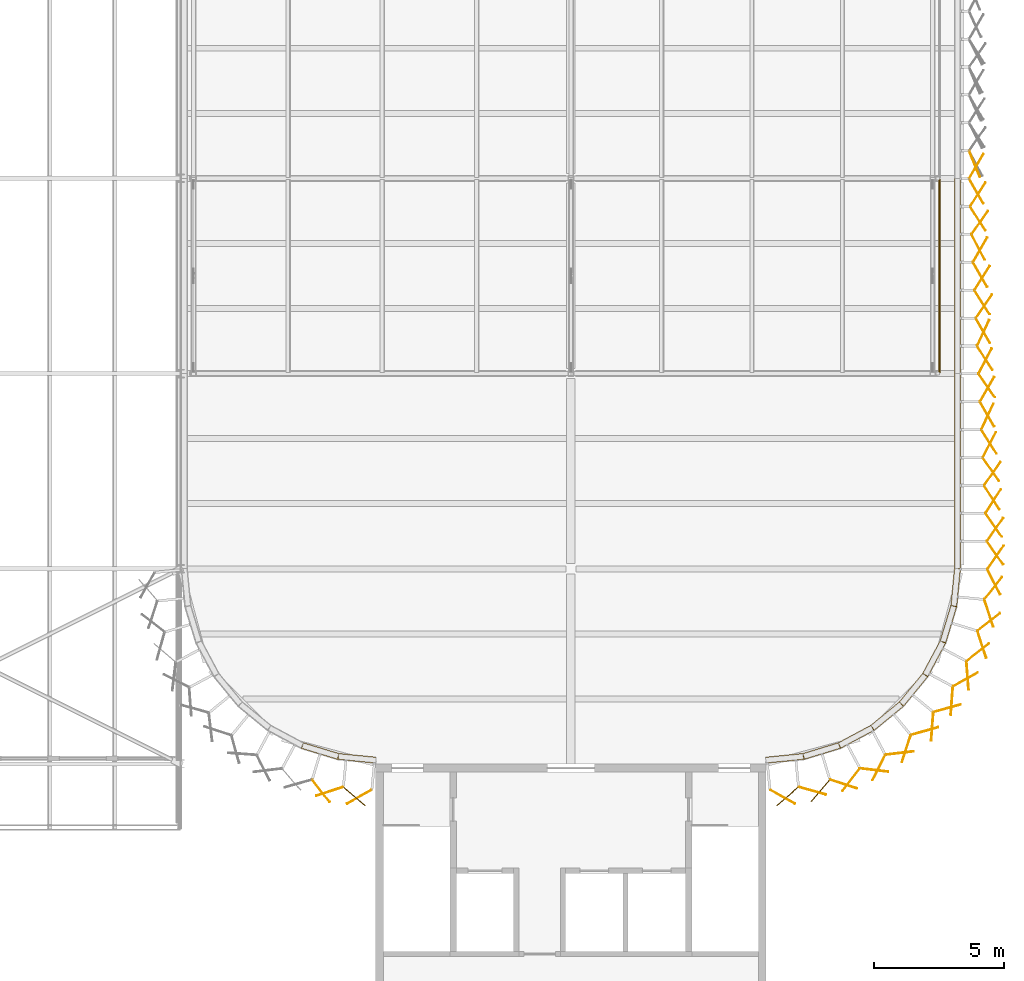
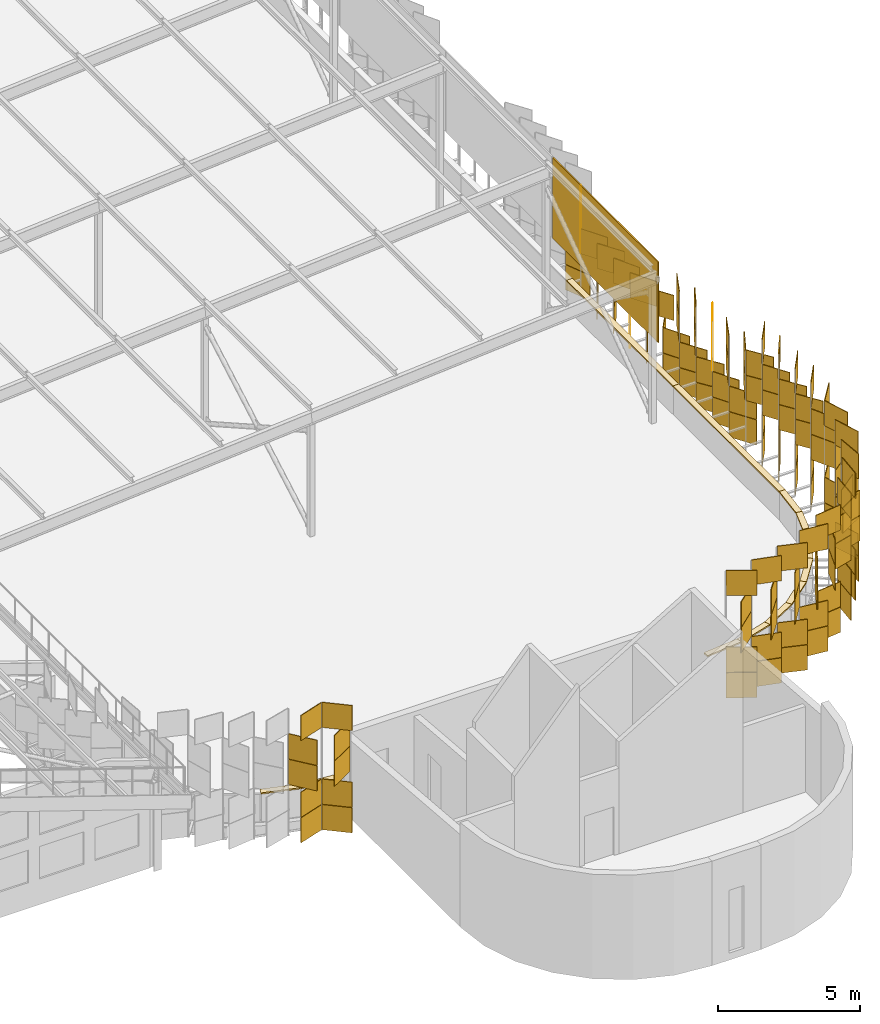
# One storey, part 468 of 483: 137 coverings.
"""IFC4 building model written with IfcOpenShell, lengths in metres."""

from ifc_helpers import new_model, si_unit, direction, frame, origin, origin_2d, place, context, subcontext, project, spatial, polyline, rectangle, outline, extrude, material, layer, layer_set, type_object, element, save


model = new_model("IFC4")

# Units and contexts
model_context = context("Model", 3, precision=1e-05, world=origin(), true_north=direction((0.0, 1.0)))
body_context = subcontext(model_context, "Body", "Model", "MODEL_VIEW")
ifc_project = project(units=[si_unit("LENGTHUNIT", "METRE"), si_unit("AREAUNIT", "SQUARE_METRE"), si_unit("VOLUMEUNIT", "CUBIC_METRE"), si_unit("PLANEANGLEUNIT", "RADIAN"), si_unit("MASSUNIT", "GRAM", prefix="KILO")], contexts=[model_context])

# Site, building, storey
site_placement = place(None, origin())
site = spatial("IfcSite", under=ifc_project, at=site_placement, CompositionType="ELEMENT")
building_placement = place(site_placement, origin())
building = spatial("IfcBuilding", under=site, at=building_placement, Name="Parallax Yard Mobility Hub", CompositionType="ELEMENT")
storey_placement = place(building_placement, frame((0.0, 0.0, 13.199951171875)))
storey = spatial("IfcBuildingStorey", under=building, at=storey_placement, Name="L04", CompositionType="ELEMENT", Elevation=13.199951171875)

# Coverings
ifc_material_1 = material(Name="Concrete fc' 35 MPa", Category="concrete")
ifc_layer_1 = layer(ifc_material_1, 0.06005859375)
ifc_layer_set_1 = layer_set([ifc_layer_1], Name="Parapet coping, Concrete fc' 35 MPa precast, 240")
covering_type_1 = type_object("IfcCoveringType", Name="Parapet coping, Concrete fc' 35 MPa precast, 240", PredefinedType="USERDEFINED", material=ifc_layer_set_1)
covering_1_placement = place(storey_placement, frame((0.0, 0.0, 1.199951171875)))
element("IfcCovering", 1, at=covering_1_placement, inside=storey, type_object=covering_type_1, Name="Parapet coping run 3 part 12", ObjectType="COPING", PredefinedType="USERDEFINED", context=body_context, shape_type="SweptSolid", body=[
    extrude(outline(polyline([(199.729248046875, 23.3193359375), (199.636962890625, 23.0966796875), (201.0380859375, 22.6708984375), (201.085205078125, 22.907470703125), (199.729248046875, 23.3193359375)])), origin(), (0.0, 0.0, 1.0), 0.06005859375),
])
covering_2_placement = place(storey_placement, frame((0.0, 0.0, 1.199951171875)))
element("IfcCovering", 2, at=covering_2_placement, inside=storey, type_object=covering_type_1, Name="Parapet coping run 3 part 13", ObjectType="COPING", PredefinedType="USERDEFINED", context=body_context, shape_type="SweptSolid", body=[
    extrude(outline(polyline([(201.085205078125, 22.907470703125), (201.0380859375, 22.6708984375), (202.497802734375, 22.5263671875), (202.521484375, 22.76513671875), (201.085205078125, 22.907470703125)])), origin(), (0.0, 0.0, 1.0), 0.06005859375),
])
covering_3_placement = place(storey_placement, frame((0.0, 0.0, 1.199951171875)))
element("IfcCovering", 3, at=covering_3_placement, inside=storey, type_object=covering_type_1, Name="Parapet coping run 4 part 1", ObjectType="COPING", PredefinedType="USERDEFINED", context=body_context, shape_type="SweptSolid", body=[
    extrude(outline(polyline([(217.47900390625, 22.76513671875), (217.502685546875, 22.5263671875), (218.962646484375, 22.671142578125), (218.915283203125, 22.90771484375), (217.47900390625, 22.76513671875)])), origin(), (0.0, 0.0, 1.0), 0.06005859375),
])
covering_4_placement = place(storey_placement, frame((0.0, 0.0, 1.199951171875)))
element("IfcCovering", 4, at=covering_4_placement, inside=storey, type_object=covering_type_1, Name="Parapet coping run 4 part 2", ObjectType="COPING", PredefinedType="USERDEFINED", context=body_context, shape_type="SweptSolid", body=[
    extrude(outline(polyline([(218.915283203125, 22.90771484375), (218.962646484375, 22.671142578125), (220.36376953125, 23.096923828125), (220.271240234375, 23.319580078125), (218.915283203125, 22.90771484375)])), origin(), (0.0, 0.0, 1.0), 0.06005859375),
])
covering_5_placement = place(storey_placement, frame((0.0, 0.0, 1.199951171875)))
element("IfcCovering", 5, at=covering_5_placement, inside=storey, type_object=covering_type_1, Name="Parapet coping run 4 part 3", ObjectType="COPING", PredefinedType="USERDEFINED", context=body_context, shape_type="SweptSolid", body=[
    extrude(outline(polyline([(220.271240234375, 23.319580078125), (220.36376953125, 23.096923828125), (221.65478515625, 23.787841796875), (221.520751953125, 23.98828125), (220.271240234375, 23.319580078125)])), origin(), (0.0, 0.0, 1.0), 0.06005859375),
])
covering_6_placement = place(storey_placement, frame((0.0, 0.0, 1.199951171875)))
element("IfcCovering", 6, at=covering_6_placement, inside=storey, type_object=covering_type_1, Name="Parapet coping run 4 part 4", ObjectType="COPING", PredefinedType="USERDEFINED", context=body_context, shape_type="SweptSolid", body=[
    extrude(outline(polyline([(221.520751953125, 23.98828125), (221.65478515625, 23.787841796875), (222.78662109375, 24.71728515625), (222.615966796875, 24.8876953125), (221.520751953125, 23.98828125)])), origin(), (0.0, 0.0, 1.0), 0.06005859375),
])
covering_7_placement = place(storey_placement, frame((0.0, 0.0, 1.199951171875)))
element("IfcCovering", 7, at=covering_7_placement, inside=storey, type_object=covering_type_1, Name="Parapet coping run 4 part 5", ObjectType="COPING", PredefinedType="USERDEFINED", context=body_context, shape_type="SweptSolid", body=[
    extrude(outline(polyline([(222.615966796875, 24.8876953125), (222.78662109375, 24.71728515625), (223.71533203125, 25.849609375), (223.514892578125, 25.983642578125), (222.615966796875, 24.8876953125)])), origin(), (0.0, 0.0, 1.0), 0.06005859375),
])
covering_8_placement = place(storey_placement, frame((0.0, 0.0, 1.199951171875)))
element("IfcCovering", 8, at=covering_8_placement, inside=storey, type_object=covering_type_1, Name="Parapet coping run 4 part 6", ObjectType="COPING", PredefinedType="USERDEFINED", context=body_context, shape_type="SweptSolid", body=[
    extrude(outline(polyline([(223.514892578125, 25.983642578125), (223.71533203125, 25.849609375), (224.405517578125, 27.141357421875), (224.1826171875, 27.233642578125), (223.514892578125, 25.983642578125)])), origin(), (0.0, 0.0, 1.0), 0.06005859375),
])
covering_9_placement = place(storey_placement, frame((0.0, 0.0, 1.199951171875)))
element("IfcCovering", 9, at=covering_9_placement, inside=storey, type_object=covering_type_1, Name="Parapet coping run 4 part 7", ObjectType="COPING", PredefinedType="USERDEFINED", context=body_context, shape_type="SweptSolid", body=[
    extrude(outline(polyline([(224.1826171875, 27.233642578125), (224.405517578125, 27.141357421875), (224.830322265625, 28.542724609375), (224.59375, 28.58984375), (224.1826171875, 27.233642578125)])), origin(), (0.0, 0.0, 1.0), 0.06005859375),
])
covering_10_placement = place(storey_placement, frame((0.0, 0.0, 1.199951171875)))
element("IfcCovering", 10, at=covering_10_placement, inside=storey, type_object=covering_type_1, Name="Parapet coping run 4 part 8", ObjectType="COPING", PredefinedType="USERDEFINED", context=body_context, shape_type="SweptSolid", body=[
    extrude(outline(polyline([(224.59375, 28.58984375), (224.830322265625, 28.542724609375), (224.97412109375, 30.001708984375), (224.73388671875, 30.01318359375), (224.59375, 28.58984375)])), origin(), (0.0, 0.0, 1.0), 0.06005859375),
])
covering_11_placement = place(storey_placement, frame((0.0, 0.0, 1.199951171875)))
element("IfcCovering", 11, at=covering_11_placement, inside=storey, type_object=covering_type_1, Name="Parapet coping run 4 part 9", ObjectType="COPING", PredefinedType="USERDEFINED", context=body_context, shape_type="SweptSolid", body=[
    extrude(outline(polyline([(224.73388671875, 30.01318359375), (224.97412109375, 30.001708984375), (224.97412109375, 37.500244140625), (224.73388671875, 37.500244140625), (224.73388671875, 30.01318359375)])), origin(), (0.0, 0.0, 1.0), 0.06005859375),
])
covering_12_placement = place(storey_placement, frame((0.0, 0.0, 1.199951171875)))
element("IfcCovering", 12, at=covering_12_placement, inside=storey, type_object=covering_type_1, Name="Parapet coping run 4 part 10", ObjectType="COPING", PredefinedType="USERDEFINED", context=body_context, shape_type="SweptSolid", body=[
    extrude(outline(polyline([(224.73388671875, 37.500244140625), (224.97412109375, 37.500244140625), (224.97412109375, 45.000244140625), (224.73388671875, 45.000244140625), (224.73388671875, 37.500244140625)])), origin(), (0.0, 0.0, 1.0), 0.06005859375),
])
ifc_material_2 = material(Name="Aluminium panel, silver anodised", Category="aluminium")
ifc_layer_2 = layer(ifc_material_2, 0.030029296875)
ifc_layer_set_2 = layer_set([ifc_layer_2], Name="Skin panel 22.5 degree turn, silver anodised")
covering_type_2 = type_object("IfcCoveringType", Name="Skin panel 22.5 degree turn, silver anodised", PredefinedType="CLADDING", material=ifc_layer_set_2)
for number, where, z_axis, x_axis, name in (
    (13, (225.512939453125, 45.547607421875, 0.02001953125), (0.0, 0.0, 1.0), (0.382683432365, -0.923879532511, 0.0), "Skin panel 22.5 bay 35.1 row 1 level L04"),
    (14, (225.512939453125, 45.547607421875, 1.1201171875), (0.0, 0.0, 1.0), (0.382683432365, -0.923879532511, 0.0), "Skin panel 22.5 bay 35.1 row 2 level L04"),
):
    element("IfcCovering", number, at=place(storey_placement, frame(where, z_axis=z_axis, x_axis=x_axis)), inside=storey, type_object=covering_type_2, Name=name, ObjectType="SCREEN", PredefinedType="CLADDING", context=body_context, shape_type="SweptSolid", body=[
        extrude(rectangle(XDim=1.080078125, YDim=0.030029296875, at=origin_2d()), origin(), (0.0, 0.0, 1.0), 1.080078125),
    ])
ifc_layer_3 = layer(ifc_material_2, 0.030029296875)
ifc_layer_set_3 = layer_set([ifc_layer_3], Name="Skin panel 25 degree turn, silver anodised")
covering_type_3 = type_object("IfcCoveringType", Name="Skin panel 25 degree turn, silver anodised", PredefinedType="CLADDING", material=ifc_layer_set_3)
for number, where, z_axis, x_axis, name in (
    (15, (226.0048828125, 35.848388671875, 2.219970703125), (0.0, 0.0, 1.0), (0.422618261741, 0.906307787037, 0.0), "Skin panel 25 bay 33.6 row 3 level L04"),
    (16, (226.0048828125, 35.848388671875, 3.320068359375), (0.0, 0.0, 1.0), (0.422618261741, 0.906307787037, 0.0), "Skin panel 25 bay 33.6 row 4 level L04"),
    (17, (225.843994140625, 39.063720703125, 2.219970703125), (0.0, 0.0, 1.0), (0.422618261741, 0.906307787037, 0.0), "Skin panel 25 bay 34.2 row 3 level L04"),
    (18, (225.843994140625, 39.063720703125, 3.320068359375), (0.0, 0.0, 1.0), (0.422618261741, 0.906307787037, 0.0), "Skin panel 25 bay 34.2 row 4 level L04"),
):
    element("IfcCovering", number, at=place(storey_placement, frame(where, z_axis=z_axis, x_axis=x_axis)), inside=storey, type_object=covering_type_3, Name=name, ObjectType="SCREEN", PredefinedType="CLADDING", context=body_context, shape_type="SweptSolid", body=[
        extrude(rectangle(XDim=1.080078125, YDim=0.030029296875, at=origin_2d()), origin(), (0.0, 0.0, 1.0), 1.080078125),
    ])
ifc_layer_4 = layer(ifc_material_2, 0.030029296875)
ifc_layer_set_4 = layer_set([ifc_layer_4], Name="Skin panel 27.5 degree turn, silver anodised")
covering_type_4 = type_object("IfcCoveringType", Name="Skin panel 27.5 degree turn, silver anodised", PredefinedType="CLADDING", material=ifc_layer_set_4)
for number, where, z_axis, x_axis, name in (
    (19, (226.080078125, 34.765869140625, 2.219970703125), (0.0, 0.0, 1.0), (0.461748613235, 0.887010833178, 0.0), "Skin panel 27.5 bay 33.5 row 3 level L04"),
    (20, (226.080078125, 34.765869140625, 3.320068359375), (0.0, 0.0, 1.0), (0.461748613235, 0.887010833178, 0.0), "Skin panel 27.5 bay 33.5 row 4 level L04"),
    (21, (225.91943359375, 37.981201171875, 2.219970703125), (0.0, 0.0, 1.0), (0.461748613235, 0.887010833178, 0.0), "Skin panel 27.5 bay 34.1 row 3 level L04"),
    (22, (225.91943359375, 37.981201171875, 3.320068359375), (0.0, 0.0, 1.0), (0.461748613235, 0.887010833178, 0.0), "Skin panel 27.5 bay 34.1 row 4 level L04"),
    (23, (225.651611328125, 42.352783203125, 2.219970703125), (0.0, 0.0, 1.0), (0.461748613235, -0.887010833178, 0.0), "Skin panel 27.5 bay 34.5 row 3 level L04"),
):
    element("IfcCovering", number, at=place(storey_placement, frame(where, z_axis=z_axis, x_axis=x_axis)), inside=storey, type_object=covering_type_4, Name=name, ObjectType="SCREEN", PredefinedType="CLADDING", context=body_context, shape_type="SweptSolid", body=[
        extrude(rectangle(XDim=1.080078125, YDim=0.030029296875, at=origin_2d()), origin(), (0.0, 0.0, 1.0), 1.080078125),
    ])
ifc_layer_5 = layer(ifc_material_2, 0.030029296875)
ifc_layer_set_5 = layer_set([ifc_layer_5], Name="Skin panel 30 degree turn, silver anodised")
covering_type_5 = type_object("IfcCoveringType", Name="Skin panel 30 degree turn, silver anodised", PredefinedType="CLADDING", material=ifc_layer_set_5)
for number, where, z_axis, x_axis, name in (
    (24, (225.994140625, 35.93408203125, 0.02001953125), (0.0, 0.0, 1.0), (0.5, -0.866025403784, 0.0), "Skin panel 30 bay 33.6 row 1 level L04"),
    (25, (225.994140625, 35.93408203125, 1.1201171875), (0.0, 0.0, 1.0), (0.5, -0.866025403784, 0.0), "Skin panel 30 bay 33.6 row 2 level L04"),
    (26, (225.994140625, 36.897705078125, 2.219970703125), (0.0, 0.0, 1.0), (0.5, 0.866025403784, 0.0), "Skin panel 30 bay 33.7 row 3 level L04"),
    (27, (225.994140625, 36.897705078125, 3.320068359375), (0.0, 0.0, 1.0), (0.5, 0.866025403784, 0.0), "Skin panel 30 bay 33.7 row 4 level L04"),
    (28, (225.83349609375, 39.1494140625, 0.02001953125), (0.0, 0.0, 1.0), (0.5, -0.866025403784, 0.0), "Skin panel 30 bay 34.2 row 1 level L04"),
    (29, (225.83349609375, 39.1494140625, 1.1201171875), (0.0, 0.0, 1.0), (0.5, -0.866025403784, 0.0), "Skin panel 30 bay 34.2 row 2 level L04"),
    (30, (225.726318359375, 41.292724609375, 2.219970703125), (0.0, 0.0, 1.0), (0.5, -0.866025403784, 0.0), "Skin panel 30 bay 34.4 row 3 level L04"),
    (31, (225.726318359375, 42.25634765625, 0.02001953125), (0.0, 0.0, 1.0), (0.5, 0.866025403784, 0.0), "Skin panel 30 bay 34.5 row 1 level L04"),
    (32, (225.726318359375, 42.25634765625, 1.1201171875), (0.0, 0.0, 1.0), (0.5, 0.866025403784, 0.0), "Skin panel 30 bay 34.5 row 2 level L04"),
    (33, (225.578125, 44.5078125, 2.219970703125), (0.0, 0.0, 1.0), (0.5, -0.866025403784, 0.0), "Skin panel 30 bay 34.7 row 3 level L04"),
    (34, (225.578125, 45.4716796875, 2.219970703125), (0.0, 0.0, 1.0), (0.5, 0.866025403784, 0.0), "Skin panel 30 bay 35.1 row 3 level L04"),
    (35, (225.578125, 45.4716796875, 3.320068359375), (0.0, 0.0, 1.0), (0.5, 0.866025403784, 0.0), "Skin panel 30 bay 35.1 row 4 level L04"),
):
    element("IfcCovering", number, at=place(storey_placement, frame(where, z_axis=z_axis, x_axis=x_axis)), inside=storey, type_object=covering_type_5, Name=name, ObjectType="SCREEN", PredefinedType="CLADDING", context=body_context, shape_type="SweptSolid", body=[
        extrude(rectangle(XDim=1.080078125, YDim=0.030029296875, at=origin_2d()), origin(), (0.0, 0.0, 1.0), 1.080078125),
    ])
ifc_layer_6 = layer(ifc_material_2, 0.030029296875)
ifc_layer_set_6 = layer_set([ifc_layer_6], Name="Skin panel 32.5 degree turn, silver anodised")
covering_type_6 = type_object("IfcCoveringType", Name="Skin panel 32.5 degree turn, silver anodised", PredefinedType="CLADDING", material=ifc_layer_set_6)
for number, where, z_axis, x_axis, name in (
    (36, (219.28271484375, 21.468017578125, 0.02001953125), (0.0, 0.0, 1.0), (0.963045136708, -0.269340053953, 0.0), "Skin panel 32.5 bay 32.2 row 1 level L04"),
    (37, (219.28271484375, 21.468017578125, 1.1201171875), (0.0, 0.0, 1.0), (0.963045136708, -0.269340053953, 0.0), "Skin panel 32.5 bay 32.2 row 2 level L04"),
    (38, (219.58837890625, 21.476318359375, 2.219970703125), (0.0, 0.0, 1.0), (-0.651105449912, -0.758987281247, 0.0), "Skin panel 32.5 bay 32.2 row 3 level L04"),
    (39, (219.58837890625, 21.476318359375, 3.320068359375), (0.0, 0.0, 1.0), (-0.651105449912, -0.758987281247, 0.0), "Skin panel 32.5 bay 32.2 row 4 level L04"),
    (40, (219.28271484375, 21.468017578125, 4.419921875), (0.0, 0.0, 1.0), (0.963045136708, -0.269340053953, 0.0), "Skin panel 32.5 bay 32.2 row 5 level L04"),
    (41, (222.634521484375, 22.918701171875, 0.02001953125), (0.0, 0.0, 1.0), (0.992809667009, 0.119703655305, 0.0), "Skin panel 32.5 bay 32.5 row 1 level L04"),
    (42, (222.634521484375, 22.918701171875, 1.1201171875), (0.0, 0.0, 1.0), (0.992809667009, 0.119703655305, 0.0), "Skin panel 32.5 bay 32.5 row 2 level L04"),
    (43, (222.88623046875, 23.08447265625, 2.219970703125), (0.0, 0.0, 1.0), (-0.311091140771, -0.950380082985, 0.0), "Skin panel 32.5 bay 32.5 row 3 level L04"),
    (44, (222.88623046875, 23.08447265625, 3.320068359375), (0.0, 0.0, 1.0), (-0.311091140771, -0.950380082985, 0.0), "Skin panel 32.5 bay 32.5 row 4 level L04"),
    (45, (222.634521484375, 22.918701171875, 4.419921875), (0.0, 0.0, 1.0), (0.992809667009, 0.119703655305, 0.0), "Skin panel 32.5 bay 32.5 row 5 level L04"),
    (46, (225.24169921875, 25.89453125, 0.02001953125), (0.0, 0.0, 1.0), (0.076283974504, -0.997086132304, 0.0), "Skin panel 32.5 bay 32.8 row 1 level L04"),
    (47, (225.24169921875, 25.89453125, 1.1201171875), (0.0, 0.0, 1.0), (0.076283974504, -0.997086132304, 0.0), "Skin panel 32.5 bay 32.8 row 2 level L04"),
    (48, (225.163818359375, 25.748779296875, 2.219970703125), (0.0, 0.0, 1.0), (0.87142792535, 0.490523568159, 0.0), "Skin panel 32.5 bay 32.8 row 3 level L04"),
    (49, (225.163818359375, 25.748779296875, 3.320068359375), (0.0, 0.0, 1.0), (0.87142792535, 0.490523568159, 0.0), "Skin panel 32.5 bay 32.8 row 4 level L04"),
    (50, (225.24169921875, 25.89453125, 4.419921875), (0.0, 0.0, 1.0), (0.076283974504, -0.997086132304, 0.0), "Skin panel 32.5 bay 32.8 row 5 level L04"),
    (51, (226.23193359375, 29.25634765625, 0.02001953125), (0.0, 0.0, 1.0), (0.617379181571, 0.786665714369, 0.0), "Skin panel 32.5 bay 32.11 row 1 level L04"),
    (52, (226.23193359375, 29.25634765625, 1.1201171875), (0.0, 0.0, 1.0), (0.617379181571, 0.786665714369, 0.0), "Skin panel 32.5 bay 32.11 row 2 level L04"),
    (53, (226.25146484375, 29.4892578125, 2.219970703125), (0.0, 0.0, 1.0), (0.452045546177, -0.891994856589, 0.0), "Skin panel 32.5 bay 32.11 row 3 level L04"),
    (54, (226.25146484375, 29.4892578125, 3.320068359375), (0.0, 0.0, 1.0), (0.452045546177, -0.891994856589, 0.0), "Skin panel 32.5 bay 32.11 row 4 level L04"),
    (55, (226.23193359375, 29.25634765625, 4.419921875), (0.0, 0.0, 1.0), (0.617379181571, 0.786665714369, 0.0), "Skin panel 32.5 bay 32.11 row 5 level L04"),
    (56, (226.229248046875, 32.59814453125, 0.02001953125), (0.0, 0.0, 1.0), (0.537299608347, 0.843391445813, 0.0), "Skin panel 32.5 bay 33.3 row 1 level L04"),
    (57, (226.229248046875, 32.59814453125, 1.1201171875), (0.0, 0.0, 1.0), (0.537299608347, 0.843391445813, 0.0), "Skin panel 32.5 bay 33.3 row 2 level L04"),
    (58, (226.17578125, 32.7314453125, 2.219970703125), (0.0, 0.0, 1.0), (0.537299608347, -0.843391445813, 0.0), "Skin panel 32.5 bay 33.3 row 3 level L04"),
    (59, (226.17578125, 32.7314453125, 3.320068359375), (0.0, 0.0, 1.0), (0.537299608347, -0.843391445813, 0.0), "Skin panel 32.5 bay 33.3 row 4 level L04"),
    (60, (226.229248046875, 32.59814453125, 4.419921875), (0.0, 0.0, 1.0), (0.537299608347, 0.843391445813, 0.0), "Skin panel 32.5 bay 33.3 row 5 level L04"),
    (61, (226.068603515625, 34.875, 0.02001953125), (0.0, 0.0, 1.0), (0.537299608347, -0.843391445813, 0.0), "Skin panel 32.5 bay 33.5 row 1 level L04"),
    (62, (226.068603515625, 34.875, 1.1201171875), (0.0, 0.0, 1.0), (0.537299608347, -0.843391445813, 0.0), "Skin panel 32.5 bay 33.5 row 2 level L04"),
    (63, (225.90771484375, 38.090087890625, 0.02001953125), (0.0, 0.0, 1.0), (0.537299608347, -0.843391445813, 0.0), "Skin panel 32.5 bay 34.1 row 1 level L04"),
    (64, (225.90771484375, 38.090087890625, 1.1201171875), (0.0, 0.0, 1.0), (0.537299608347, -0.843391445813, 0.0), "Skin panel 32.5 bay 34.1 row 2 level L04"),
    (65, (225.80078125, 40.233642578125, 2.219970703125), (0.0, 0.0, 1.0), (0.537299608347, -0.843391445813, 0.0), "Skin panel 32.5 bay 34.3 row 3 level L04"),
    (66, (225.80078125, 41.172119140625, 0.02001953125), (0.0, 0.0, 1.0), (0.537299608347, 0.843391445813, 0.0), "Skin panel 32.5 bay 34.4 row 1 level L04"),
    (67, (225.80078125, 41.172119140625, 1.1201171875), (0.0, 0.0, 1.0), (0.537299608347, 0.843391445813, 0.0), "Skin panel 32.5 bay 34.4 row 2 level L04"),
    (68, (225.639892578125, 43.44873046875, 2.219970703125), (0.0, 0.0, 1.0), (0.537299608347, -0.843391445813, 0.0), "Skin panel 32.5 bay 34.6 row 3 level L04"),
    (69, (225.639892578125, 44.38720703125, 0.02001953125), (0.0, 0.0, 1.0), (0.537299608347, 0.843391445813, 0.0), "Skin panel 32.5 bay 34.7 row 1 level L04"),
    (70, (225.639892578125, 44.38720703125, 1.1201171875), (0.0, 0.0, 1.0), (0.537299608347, 0.843391445813, 0.0), "Skin panel 32.5 bay 34.7 row 2 level L04"),
):
    element("IfcCovering", number, at=place(storey_placement, frame(where, z_axis=z_axis, x_axis=x_axis)), inside=storey, type_object=covering_type_6, Name=name, ObjectType="SCREEN", PredefinedType="CLADDING", context=body_context, shape_type="SweptSolid", body=[
        extrude(rectangle(XDim=1.080078125, YDim=0.030029296875, at=origin_2d()), origin(), (0.0, 0.0, 1.0), 1.080078125),
    ])
ifc_layer_7 = layer(ifc_material_2, 0.030029296875)
ifc_layer_set_7 = layer_set([ifc_layer_7], Name="Skin panel 35 degree turn, silver anodised")
covering_type_7 = type_object("IfcCoveringType", Name="Skin panel 35 degree turn, silver anodised", PredefinedType="CLADDING", material=ifc_layer_set_7)
for number, where, z_axis, x_axis, name in (
    (71, (200.73046875, 21.4443359375, 0.02001953125), (0.0, 0.0, 1.0), (-0.950380082985, -0.311091140771, 0.0), "Skin panel 35 bay 30.10 row 1 level L04"),
    (72, (200.73046875, 21.4443359375, 1.1201171875), (0.0, 0.0, 1.0), (-0.950380082985, -0.311091140771, 0.0), "Skin panel 35 bay 30.10 row 2 level L04"),
    (73, (200.40380859375, 21.457763671875, 2.219970703125), (0.0, 0.0, 1.0), (0.617379181571, -0.786665714369, 0.0), "Skin panel 35 bay 30.10 row 3 level L04"),
    (74, (200.40380859375, 21.457763671875, 3.320068359375), (0.0, 0.0, 1.0), (0.617379181571, -0.786665714369, 0.0), "Skin panel 35 bay 30.10 row 4 level L04"),
    (75, (200.73046875, 21.4443359375, 4.419921875), (0.0, 0.0, 1.0), (-0.950380082985, -0.311091140771, 0.0), "Skin panel 35 bay 30.10 row 5 level L04"),
    (76, (201.681396484375, 21.255126953125, 0.02001953125), (0.0, 0.0, 1.0), (0.758987281247, -0.651105449912, 0.0), "Skin panel 35 bay 30.11 row 1 level L04"),
    (77, (201.681396484375, 21.255126953125, 1.1201171875), (0.0, 0.0, 1.0), (0.758987281247, -0.651105449912, 0.0), "Skin panel 35 bay 30.11 row 2 level L04"),
    (78, (201.8671875, 21.23681640625, 2.219970703125), (0.0, 0.0, 1.0), (-0.87142792535, -0.490523568159, 0.0), "Skin panel 35 bay 30.11 row 3 level L04"),
    (79, (201.8671875, 21.23681640625, 3.320068359375), (0.0, 0.0, 1.0), (-0.87142792535, -0.490523568159, 0.0), "Skin panel 35 bay 30.11 row 4 level L04"),
    (80, (201.681396484375, 21.255126953125, 4.419921875), (0.0, 0.0, 1.0), (0.758987281247, -0.651105449912, 0.0), "Skin panel 35 bay 30.11 row 5 level L04"),
    (81, (218.13330078125, 21.23681640625, 0.02001953125), (0.0, 0.0, 1.0), (0.87142792535, -0.490523568159, 0.0), "Skin panel 35 bay 32.1 row 1 level L04"),
    (82, (218.13330078125, 21.23681640625, 1.1201171875), (0.0, 0.0, 1.0), (0.87142792535, -0.490523568159, 0.0), "Skin panel 35 bay 32.1 row 2 level L04"),
    (83, (218.32470703125, 21.255615234375, 2.219970703125), (0.0, 0.0, 1.0), (-0.758987281247, -0.651105449912, 0.0), "Skin panel 35 bay 32.1 row 3 level L04"),
    (84, (218.32470703125, 21.255615234375, 3.320068359375), (0.0, 0.0, 1.0), (-0.758987281247, -0.651105449912, 0.0), "Skin panel 35 bay 32.1 row 4 level L04"),
    (85, (218.13330078125, 21.23681640625, 4.419921875), (0.0, 0.0, 1.0), (0.87142792535, -0.490523568159, 0.0), "Skin panel 35 bay 32.1 row 5 level L04"),
    (86, (220.4794921875, 21.7255859375, 0.02001953125), (0.0, 0.0, 1.0), (0.950380082985, -0.311091140771, 0.0), "Skin panel 35 bay 32.3 row 1 level L04"),
    (87, (220.4794921875, 21.7255859375, 1.1201171875), (0.0, 0.0, 1.0), (0.950380082985, -0.311091140771, 0.0), "Skin panel 35 bay 32.3 row 2 level L04"),
    (88, (220.76513671875, 21.89404296875, 2.219970703125), (0.0, 0.0, 1.0), (-0.617379181571, -0.786665714369, 0.0), "Skin panel 35 bay 32.3 row 3 level L04"),
    (89, (220.76513671875, 21.89404296875, 3.320068359375), (0.0, 0.0, 1.0), (-0.617379181571, -0.786665714369, 0.0), "Skin panel 35 bay 32.3 row 4 level L04"),
    (90, (220.4794921875, 21.7255859375, 4.419921875), (0.0, 0.0, 1.0), (0.950380082985, -0.311091140771, 0.0), "Skin panel 35 bay 32.3 row 5 level L04"),
    (91, (221.6611328125, 22.26513671875, 0.02001953125), (0.0, 0.0, 1.0), (0.992809667009, -0.119703655305, 0.0), "Skin panel 35 bay 32.4 row 1 level L04"),
    (92, (221.6611328125, 22.26513671875, 1.1201171875), (0.0, 0.0, 1.0), (0.992809667009, -0.119703655305, 0.0), "Skin panel 35 bay 32.4 row 2 level L04"),
    (93, (221.83056640625, 22.355712890625, 2.219970703125), (0.0, 0.0, 1.0), (-0.452045546177, -0.891994856589, 0.0), "Skin panel 35 bay 32.4 row 3 level L04"),
    (94, (221.83056640625, 22.355712890625, 3.320068359375), (0.0, 0.0, 1.0), (-0.452045546177, -0.891994856589, 0.0), "Skin panel 35 bay 32.4 row 4 level L04"),
    (95, (221.6611328125, 22.26513671875, 4.419921875), (0.0, 0.0, 1.0), (0.992809667009, -0.119703655305, 0.0), "Skin panel 35 bay 32.4 row 5 level L04"),
    (96, (223.885986328125, 23.936767578125, 0.02001953125), (0.0, 0.0, 1.0), (-0.076283974504, -0.997086132304, 0.0), "Skin panel 35 bay 32.6 row 1 level L04"),
    (97, (223.885986328125, 23.936767578125, 1.1201171875), (0.0, 0.0, 1.0), (-0.076283974504, -0.997086132304, 0.0), "Skin panel 35 bay 32.6 row 2 level L04"),
    (98, (223.59521484375, 23.76318359375, 2.219970703125), (0.0, 0.0, 1.0), (0.963045136708, 0.269340053953, 0.0), "Skin panel 35 bay 32.6 row 3 level L04"),
    (99, (223.59521484375, 23.76318359375, 3.320068359375), (0.0, 0.0, 1.0), (0.963045136708, 0.269340053953, 0.0), "Skin panel 35 bay 32.6 row 4 level L04"),
    (100, (223.885986328125, 23.936767578125, 4.419921875), (0.0, 0.0, 1.0), (-0.076283974504, -0.997086132304, 0.0), "Skin panel 35 bay 32.6 row 5 level L04"),
    (101, (224.636474609375, 24.92138671875, 0.02001953125), (0.0, 0.0, 1.0), (-0.076283974504, -0.997086132304, 0.0), "Skin panel 35 bay 32.7 row 1 level L04"),
    (102, (224.636474609375, 24.92138671875, 1.1201171875), (0.0, 0.0, 1.0), (-0.076283974504, -0.997086132304, 0.0), "Skin panel 35 bay 32.7 row 2 level L04"),
    (103, (224.46435546875, 24.641357421875, 2.219970703125), (0.0, 0.0, 1.0), (0.963045136708, 0.269340053953, 0.0), "Skin panel 35 bay 32.7 row 3 level L04"),
    (104, (224.46435546875, 24.641357421875, 3.320068359375), (0.0, 0.0, 1.0), (0.963045136708, 0.269340053953, 0.0), "Skin panel 35 bay 32.7 row 4 level L04"),
    (105, (224.636474609375, 24.92138671875, 4.419921875), (0.0, 0.0, 1.0), (-0.076283974504, -0.997086132304, 0.0), "Skin panel 35 bay 32.7 row 5 level L04"),
    (106, (225.79345703125, 27.08349609375, 0.02001953125), (0.0, 0.0, 1.0), (0.311091140771, -0.950380082985, 0.0), "Skin panel 35 bay 32.9 row 1 level L04"),
    (107, (225.79345703125, 27.08349609375, 1.1201171875), (0.0, 0.0, 1.0), (0.311091140771, -0.950380082985, 0.0), "Skin panel 35 bay 32.9 row 2 level L04"),
    (108, (225.636962890625, 26.792724609375, 2.219970703125), (0.0, 0.0, 1.0), (0.786665714369, 0.617379181571, 0.0), "Skin panel 35 bay 32.9 row 3 level L04"),
    (109, (225.636962890625, 26.792724609375, 3.320068359375), (0.0, 0.0, 1.0), (0.786665714369, 0.617379181571, 0.0), "Skin panel 35 bay 32.9 row 4 level L04"),
    (110, (225.79345703125, 27.08349609375, 4.419921875), (0.0, 0.0, 1.0), (0.311091140771, -0.950380082985, 0.0), "Skin panel 35 bay 32.9 row 5 level L04"),
    (111, (226.0615234375, 28.289794921875, 0.02001953125), (0.0, 0.0, 1.0), (0.311091140771, -0.950380082985, 0.0), "Skin panel 35 bay 32.10 row 1 level L04"),
    (112, (226.0615234375, 28.289794921875, 1.1201171875), (0.0, 0.0, 1.0), (0.311091140771, -0.950380082985, 0.0), "Skin panel 35 bay 32.10 row 2 level L04"),
    (113, (226.05810546875, 27.955810546875, 2.219970703125), (0.0, 0.0, 1.0), (0.786665714369, 0.617379181571, 0.0), "Skin panel 35 bay 32.10 row 3 level L04"),
    (114, (226.05810546875, 27.955810546875, 3.320068359375), (0.0, 0.0, 1.0), (0.786665714369, 0.617379181571, 0.0), "Skin panel 35 bay 32.10 row 4 level L04"),
    (115, (226.0615234375, 28.289794921875, 4.419921875), (0.0, 0.0, 1.0), (0.311091140771, -0.950380082985, 0.0), "Skin panel 35 bay 32.10 row 5 level L04"),
    (116, (226.319091796875, 30.44140625, 0.02001953125), (0.0, 0.0, 1.0), (0.573576436351, 0.819152044289, 0.0), "Skin panel 35 bay 33.1 row 1 level L04"),
    (117, (226.319091796875, 30.44140625, 1.1201171875), (0.0, 0.0, 1.0), (0.573576436351, 0.819152044289, 0.0), "Skin panel 35 bay 33.1 row 2 level L04"),
    (118, (226.302978515625, 30.6015625, 2.219970703125), (0.0, 0.0, 1.0), (0.573576436351, -0.819152044289, 0.0), "Skin panel 35 bay 33.1 row 3 level L04"),
    (119, (226.302978515625, 30.6015625, 3.320068359375), (0.0, 0.0, 1.0), (0.573576436351, -0.819152044289, 0.0), "Skin panel 35 bay 33.1 row 4 level L04"),
    (120, (226.319091796875, 30.44140625, 4.419921875), (0.0, 0.0, 1.0), (0.573576436351, 0.819152044289, 0.0), "Skin panel 35 bay 33.1 row 5 level L04"),
    (121, (226.302978515625, 31.512939453125, 0.02001953125), (0.0, 0.0, 1.0), (0.573576436351, 0.819152044289, 0.0), "Skin panel 35 bay 33.2 row 1 level L04"),
    (122, (226.302978515625, 31.512939453125, 1.1201171875), (0.0, 0.0, 1.0), (0.573576436351, 0.819152044289, 0.0), "Skin panel 35 bay 33.2 row 2 level L04"),
    (123, (226.24951171875, 31.67333984375, 2.219970703125), (0.0, 0.0, 1.0), (0.573576436351, -0.819152044289, 0.0), "Skin panel 35 bay 33.2 row 3 level L04"),
    (124, (226.24951171875, 31.67333984375, 3.320068359375), (0.0, 0.0, 1.0), (0.573576436351, -0.819152044289, 0.0), "Skin panel 35 bay 33.2 row 4 level L04"),
    (125, (226.302978515625, 31.512939453125, 4.419921875), (0.0, 0.0, 1.0), (0.573576436351, 0.819152044289, 0.0), "Skin panel 35 bay 33.2 row 5 level L04"),
    (126, (226.19580078125, 33.656494140625, 0.02001953125), (0.0, 0.0, 1.0), (0.573576436351, 0.819152044289, 0.0), "Skin panel 35 bay 33.4 row 1 level L04"),
    (127, (226.19580078125, 33.656494140625, 1.1201171875), (0.0, 0.0, 1.0), (0.573576436351, 0.819152044289, 0.0), "Skin panel 35 bay 33.4 row 2 level L04"),
    (128, (226.142333984375, 33.816650390625, 2.219970703125), (0.0, 0.0, 1.0), (0.573576436351, -0.819152044289, 0.0), "Skin panel 35 bay 33.4 row 3 level L04"),
    (129, (226.142333984375, 33.816650390625, 3.320068359375), (0.0, 0.0, 1.0), (0.573576436351, -0.819152044289, 0.0), "Skin panel 35 bay 33.4 row 4 level L04"),
    (130, (226.19580078125, 33.656494140625, 4.419921875), (0.0, 0.0, 1.0), (0.573576436351, 0.819152044289, 0.0), "Skin panel 35 bay 33.4 row 5 level L04"),
    (131, (225.981689453125, 37.031982421875, 0.02001953125), (0.0, 0.0, 1.0), (0.573576436351, -0.819152044289, 0.0), "Skin panel 35 bay 33.7 row 1 level L04"),
    (132, (225.981689453125, 37.031982421875, 1.1201171875), (0.0, 0.0, 1.0), (0.573576436351, -0.819152044289, 0.0), "Skin panel 35 bay 33.7 row 2 level L04"),
    (133, (225.87451171875, 40.0869140625, 0.02001953125), (0.0, 0.0, 1.0), (0.573576436351, 0.819152044289, 0.0), "Skin panel 35 bay 34.3 row 1 level L04"),
    (134, (225.87451171875, 40.0869140625, 1.1201171875), (0.0, 0.0, 1.0), (0.573576436351, 0.819152044289, 0.0), "Skin panel 35 bay 34.3 row 2 level L04"),
    (135, (225.713623046875, 43.302001953125, 0.02001953125), (0.0, 0.0, 1.0), (0.573576436351, 0.819152044289, 0.0), "Skin panel 35 bay 34.6 row 1 level L04"),
    (136, (225.713623046875, 43.302001953125, 1.1201171875), (0.0, 0.0, 1.0), (0.573576436351, 0.819152044289, 0.0), "Skin panel 35 bay 34.6 row 2 level L04"),
):
    element("IfcCovering", number, at=place(storey_placement, frame(where, z_axis=z_axis, x_axis=x_axis)), inside=storey, type_object=covering_type_7, Name=name, ObjectType="SCREEN", PredefinedType="CLADDING", context=body_context, shape_type="SweptSolid", body=[
        extrude(rectangle(XDim=1.080078125, YDim=0.030029296875, at=origin_2d()), origin(), (0.0, 0.0, 1.0), 1.080078125),
    ])
ifc_material_3 = material(Name="Anodised aluminium louvre panel", Category="aluminium")
ifc_layer_8 = layer(ifc_material_3, 0.050048828125)
ifc_layer_set_8 = layer_set([ifc_layer_8], Name="Storm valance louvre panel 50")
covering_type_8 = type_object("IfcCoveringType", Name="Storm valance louvre panel 50", PredefinedType="CLADDING", material=ifc_layer_set_8)
covering_13_placement = place(storey_placement, frame((0.0, 0.0, 3.300048828125)))
element("IfcCovering", 137, at=covering_13_placement, inside=storey, type_object=covering_type_8, Name="Storm valance sector E-A bay 1", PredefinedType="CLADDING", context=body_context, shape_type="SweptSolid", body=[
    extrude(outline(polyline([(224.139892578125, 37.530029296875), (224.139892578125, 44.969970703125), (224.18994140625, 44.969970703125), (224.18994140625, 37.530029296875), (224.139892578125, 37.530029296875)])), origin(), (0.0, 0.0, 1.0), 3.46630859375),
])

save(model, "model.ifc")
